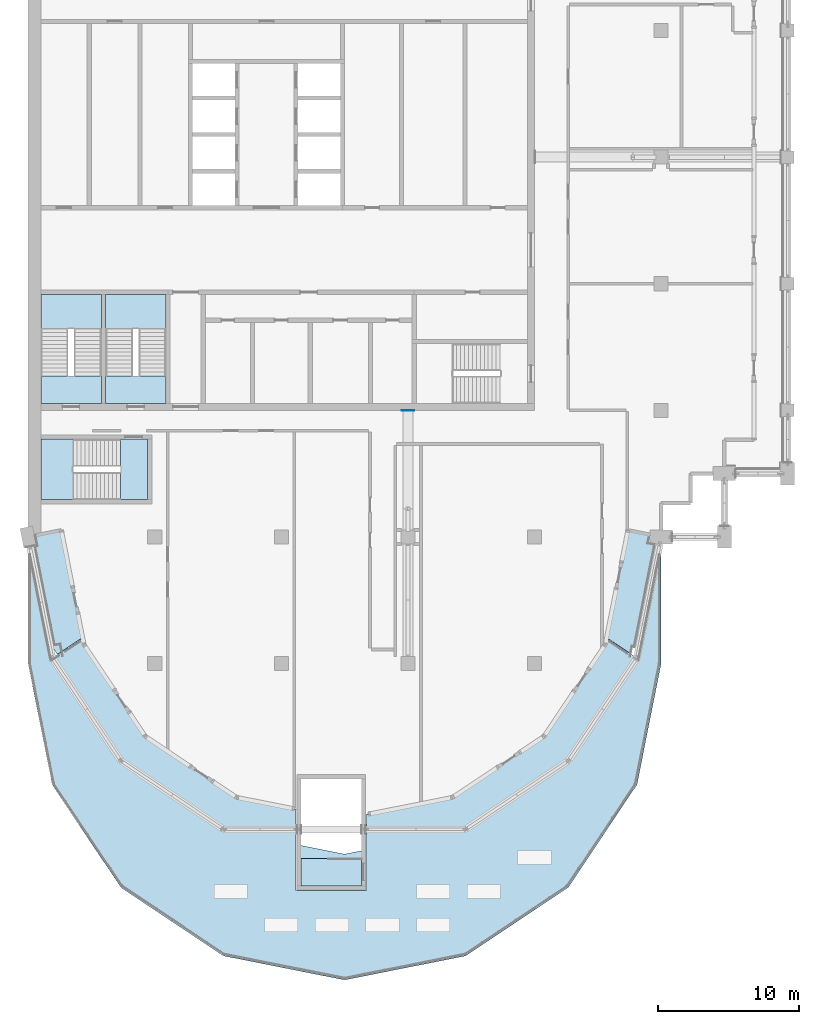
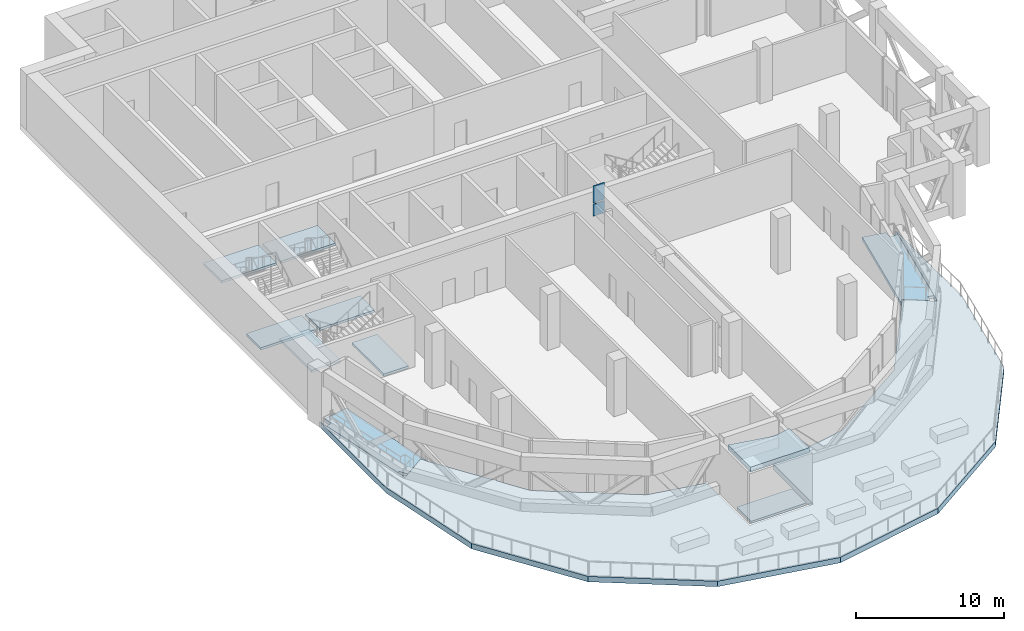
# One storey, part 4 of 18: 11 slabs, 2 plates, 3 elements without a shape of their own.
"""IFC4 building model written with IfcOpenShell, lengths in metres."""

from ifc_helpers import new_model, si_unit, direction, frame, origin, origin_2d, place, context, subcontext, project, spatial, polyline, rectangle, outline, extrude, material, layer, layer_set, type_object, element, aggregate, save


model = new_model("IFC4")

# Units and contexts
model_context = context("Model", 3, precision=1e-05, world=origin(), true_north=direction((0.0, 1.0)))
body_context = subcontext(model_context, "Body", "Model", "MODEL_VIEW")
ifc_project = project(units=[si_unit("LENGTHUNIT", "METRE"), si_unit("AREAUNIT", "SQUARE_METRE"), si_unit("VOLUMEUNIT", "CUBIC_METRE"), si_unit("PLANEANGLEUNIT", "RADIAN"), si_unit("MASSUNIT", "GRAM", prefix="KILO")], contexts=[model_context])

# Site, building, storey
site_placement = place(None, origin())
site = spatial("IfcSite", under=ifc_project, at=site_placement, CompositionType="ELEMENT")
building_placement = place(site_placement, origin())
building = spatial("IfcBuilding", under=site, at=building_placement, Name="Hunhe Ridgeline Campus", CompositionType="ELEMENT")
storey_placement = place(building_placement, frame((0.0, 0.0, 276.199951171875)))
storey = spatial("IfcBuildingStorey", under=building, at=storey_placement, Name="L71", CompositionType="ELEMENT", Elevation=276.199951171875)

# Plates
ifc_material_1 = material(Name="Steel Q420", Category="steel")
ifc_layer_1 = layer(ifc_material_1, 0.0400390625)
ifc_layer_set_1 = layer_set([ifc_layer_1], Name="Cast-in plate 900x1000x40 Steel Q420")
plate_type_1 = type_object("IfcPlateType", Name="Cast-in plate 900x1000x40 Steel Q420", PredefinedType="SHEET", material=ifc_layer_set_1)
plate_1_placement = place(storey_placement, frame((27.0, 62.97998046875, 2.199951171875), z_axis=(0.0, 0.0, 1.0), x_axis=(0.0, -1.0, 0.0)))
element("IfcPlate", 1, at=plate_1_placement, inside=storey, type_object=plate_type_1, Name="Cast-in plate OR2 bottom chord L71", PredefinedType="SHEET", context=body_context, shape_type="SweptSolid", body=[
    extrude(rectangle(XDim=0.0400390625, YDim=0.89990234375, at=origin_2d()), origin(), (0.0, 0.0, 1.0), 1.0),
])
ifc_layer_2 = layer(ifc_material_1, 0.0400390625)
ifc_layer_set_2 = layer_set([ifc_layer_2], Name="Cast-in plate 900x1400x40 Steel Q420")
plate_type_2 = type_object("IfcPlateType", Name="Cast-in plate 900x1400x40 Steel Q420", PredefinedType="SHEET", material=ifc_layer_set_2)
plate_2_placement = place(storey_placement, frame((27.0, 62.97998046875, 3.300048828125), z_axis=(0.0, 0.0, 1.0), x_axis=(0.0, -1.0, 0.0)))
element("IfcPlate", 2, at=plate_2_placement, inside=storey, type_object=plate_type_2, Name="Cast-in plate OR2 top chord L71", PredefinedType="SHEET", context=body_context, shape_type="SweptSolid", body=[
    extrude(rectangle(XDim=0.0400390625, YDim=0.89990234375, at=origin_2d()), origin(), (0.0, 0.0, 1.0), 1.39990234375),
])

# Slabs
ifc_material_2 = material(Name="Concrete C40", Category="concrete")
ifc_layer_3 = layer(ifc_material_2, 0.25)
ifc_layer_set_3 = layer_set([ifc_layer_3], Name="Loggia slab 250 Concrete C40")
slab_type_1 = type_object("IfcSlabType", Name="Loggia slab 250 Concrete C40", PredefinedType="FLOOR", material=ifc_layer_set_3)
slab_1_placement = place(storey_placement, frame((0.0, 0.0, -0.25)))
element("IfcSlab", 3, at=slab_1_placement, inside=storey, type_object=slab_type_1, Name="Loggia slab 1", PredefinedType="FLOOR", context=body_context, shape_type="SweptSolid", body=[
    extrude(outline(polyline([(41.029052734375, 46.3388671875), (41.28759765625, 46.725830078125), (41.293701171875, 46.7275390625), (42.883544921875, 45.666015625), (42.982421875, 46.1640625), (43.418701171875, 46.0771484375), (44.9052734375, 53.550048828125), (44.300048828125, 53.550048828125), (44.300048828125, 54.13916015625), (42.64599609375, 54.46826171875), (41.029052734375, 46.3388671875)])), origin(), (0.0, 0.0, 1.0), 0.25),
])
slab_2_placement = place(storey_placement, frame((0.0, 0.0, -0.25)))
element("IfcSlab", 4, at=slab_2_placement, inside=storey, type_object=slab_type_1, Name="Loggia slab 2", PredefinedType="FLOOR", context=body_context, shape_type="SweptSolid", body=[
    extrude(outline(polyline([(2.083740234375, 45.644287109375), (3.706298828125, 46.7275390625), (3.71240234375, 46.725830078125), (3.970947265625, 46.3388671875), (2.35400390625, 54.46826171875), (0.44140625, 54.087890625), (0.577880859375, 53.401123046875), (0.1416015625, 53.314453125), (1.569580078125, 46.135986328125), (1.697998046875, 46.2216796875), (2.083740234375, 45.644287109375)])), origin(), (0.0, 0.0, 1.0), 0.25),
])
ifc_layer_4 = layer(ifc_material_2, 0.35009765625)
ifc_layer_set_4 = layer_set([ifc_layer_4], Name="Reinforced concrete stair head roof slab Concrete C40")
slab_type_2 = type_object("IfcSlabType", Name="Reinforced concrete stair head roof slab Concrete C40", PredefinedType="ROOF", material=ifc_layer_set_4)
slab_3_placement = place(storey_placement, frame((0.0, 0.0, 4.199951171875)))
element("IfcSlab", 5, at=slab_3_placement, inside=storey, type_object=slab_type_2, Name="Stair W3 head roof", PredefinedType="ROOF", context=body_context, shape_type="SweptSolid", body=[
    extrude(outline(polyline([(19.25, 29.050048828125), (19.25, 32.095458984375), (22.490234375, 31.450927734375), (22.4951171875, 31.4501953125), (22.5, 31.449951171875), (22.5048828125, 31.4501953125), (22.509765625, 31.450927734375), (23.85009765625, 31.717529296875), (23.85009765625, 29.050048828125), (19.25, 29.050048828125)])), origin(), (0.0, 0.0, 1.0), 0.400146484375),
])

# Stair, slab
stair_type = type_object("IfcStairType", Name="Reinforced concrete dog-leg stair 1950 Concrete C40", PredefinedType="HALF_TURN_STAIR", material=ifc_material_2)
stair_1_placement = place(storey_placement, origin())
stair_1 = element("IfcStair", 6, at=stair_1_placement, inside=storey, type_object=stair_type, Name="L71 S3", PredefinedType="HALF_TURN_STAIR")
ifc_layer_5 = layer(ifc_material_2, 0.199951171875)
ifc_layer_set_5 = layer_set([ifc_layer_5], Name="Reinforced concrete stair landing 200 Concrete C40")
slab_type_3 = type_object("IfcSlabType", Name="Reinforced concrete stair landing 200 Concrete C40", PredefinedType="LANDING", material=ifc_layer_set_5)
slab_4_placement = place(storey_placement, frame((0.0, 0.0, 2.10009765625)))
slab_4 = element("IfcSlab", 7, at=slab_4_placement, type_object=slab_type_3, Name="ST3 landing 1", PredefinedType="LANDING", context=body_context, shape_type="SweptSolid", body=[
    extrude(outline(polyline([(5.199951171875, 68.81005859375), (5.199951171875, 71.25), (0.89990234375, 71.25), (0.89990234375, 68.81005859375), (5.199951171875, 68.81005859375)])), origin(), (0.0, 0.0, 1.0), 0.199951171875),
])
aggregate(stair_1, [slab_4])

# Slab
slab_5_placement = place(storey_placement, frame((0.0, 0.0, -0.199951171875)))
element("IfcSlab", 8, at=slab_5_placement, inside=storey, type_object=slab_type_3, Name="L71 stair S3 floor landing", PredefinedType="LANDING", context=body_context, shape_type="SweptSolid", body=[
    extrude(outline(polyline([(5.199951171875, 63.5), (5.199951171875, 65.449951171875), (0.89990234375, 65.449951171875), (0.89990234375, 63.5), (5.199951171875, 63.5)])), origin(), (0.0, 0.0, 1.0), 0.199951171875),
])

# Stair, slab
stair_2_placement = place(storey_placement, origin())
stair_2 = element("IfcStair", 9, at=stair_2_placement, inside=storey, type_object=stair_type, Name="L71 S4", PredefinedType="HALF_TURN_STAIR")
slab_6_placement = place(storey_placement, frame((0.0, 0.0, 2.10009765625)))
slab_6 = element("IfcSlab", 10, at=slab_6_placement, type_object=slab_type_3, Name="ST4 landing 1", PredefinedType="LANDING", context=body_context, shape_type="SweptSolid", body=[
    extrude(outline(polyline([(9.800048828125, 68.81005859375), (9.800048828125, 71.25), (5.5, 71.25), (5.5, 68.81005859375), (9.800048828125, 68.81005859375)])), origin(), (0.0, 0.0, 1.0), 0.199951171875),
])
aggregate(stair_2, [slab_6])

# Slabs
slab_7_placement = place(storey_placement, frame((0.0, 0.0, -0.199951171875)))
element("IfcSlab", 11, at=slab_7_placement, inside=storey, type_object=slab_type_3, Name="L71 stair S4 floor landing", PredefinedType="LANDING", context=body_context, shape_type="SweptSolid", body=[
    extrude(outline(polyline([(9.800048828125, 63.5), (9.800048828125, 65.449951171875), (5.5, 65.449951171875), (5.5, 63.5), (9.800048828125, 63.5)])), origin(), (0.0, 0.0, 1.0), 0.199951171875),
])
slab_8_placement = place(storey_placement, frame((0.0, 0.0, -0.199951171875)))
element("IfcSlab", 12, at=slab_8_placement, inside=storey, type_object=slab_type_3, Name="L71 stair W3 floor landing", PredefinedType="LANDING", context=body_context, shape_type="SweptSolid", body=[
    extrude(outline(polyline([(23.699951171875, 29.199951171875), (23.699951171875, 31.14990234375), (19.39990234375, 31.14990234375), (19.39990234375, 29.199951171875), (23.699951171875, 29.199951171875)])), origin(), (0.0, 0.0, 1.0), 0.199951171875),
])

# Stair, slab
stair_3_placement = place(storey_placement, origin())
stair_3 = element("IfcStair", 13, at=stair_3_placement, inside=storey, type_object=stair_type, Name="L71 W2", PredefinedType="HALF_TURN_STAIR")
slab_9_placement = place(storey_placement, frame((0.0, 0.0, 2.10009765625)))
slab_9 = element("IfcSlab", 14, at=slab_9_placement, type_object=slab_type_3, Name="ST12 landing 1", PredefinedType="LANDING", context=body_context, shape_type="SweptSolid", body=[
    extrude(outline(polyline([(3.18994140625, 60.949951171875), (0.89990234375, 60.949951171875), (0.89990234375, 56.64990234375), (3.18994140625, 56.64990234375), (3.18994140625, 60.949951171875)])), origin(), (0.0, 0.0, 1.0), 0.199951171875),
])
aggregate(stair_3, [slab_9])

# Slabs
slab_10_placement = place(storey_placement, frame((0.0, 0.0, -0.199951171875)))
element("IfcSlab", 15, at=slab_10_placement, inside=storey, type_object=slab_type_3, Name="L71 stair W2 floor landing", PredefinedType="LANDING", context=body_context, shape_type="SweptSolid", body=[
    extrude(outline(polyline([(8.5, 60.949951171875), (6.550048828125, 60.949951171875), (6.550048828125, 56.64990234375), (8.5, 56.64990234375), (8.5, 60.949951171875)])), origin(), (0.0, 0.0, 1.0), 0.199951171875),
])
ifc_layer_6 = layer(ifc_material_2, 0.449951171875)
ifc_layer_set_6 = layer_set([ifc_layer_6], Name="Terrace slab 450 Concrete C40")
slab_type_4 = type_object("IfcSlabType", Name="Terrace slab 450 Concrete C40", PredefinedType="FLOOR", material=ifc_layer_set_6)
slab_11_placement = place(storey_placement, frame((0.0, 0.0, -0.449951171875)))
element("IfcSlab", 16, at=slab_11_placement, inside=storey, type_object=slab_type_4, Name="Terrace slab L71 1", PredefinedType="FLOOR", context=body_context, shape_type="SweptSolid", body=[
    extrude(outline(polyline([(0.0, 54.0), (0.0, 45.0), (1.712646484375, 36.3896484375), (6.590087890625, 29.090087890625), (13.8896484375, 24.212646484375), (22.5, 22.5), (31.1103515625, 24.212646484375), (38.409912109375, 29.090087890625), (43.287353515625, 36.3896484375), (45.0, 45.0), (45.0, 54.0), (43.287353515625, 45.390625), (41.291748046875, 46.722900390625), (36.6796875, 39.8203125), (30.174072265625, 35.4736328125), (24.050048828125, 34.25537109375), (24.050048828125, 28.85009765625), (19.050048828125, 28.85009765625), (19.050048828125, 34.63330078125), (14.825927734375, 35.4736328125), (8.3203125, 39.8203125), (3.708251953125, 46.722900390625), (1.712646484375, 45.390625), (0.0, 54.0)])), origin(), (0.0, 0.0, 1.0), 0.449951171875),
])

save(model, "model.ifc")
